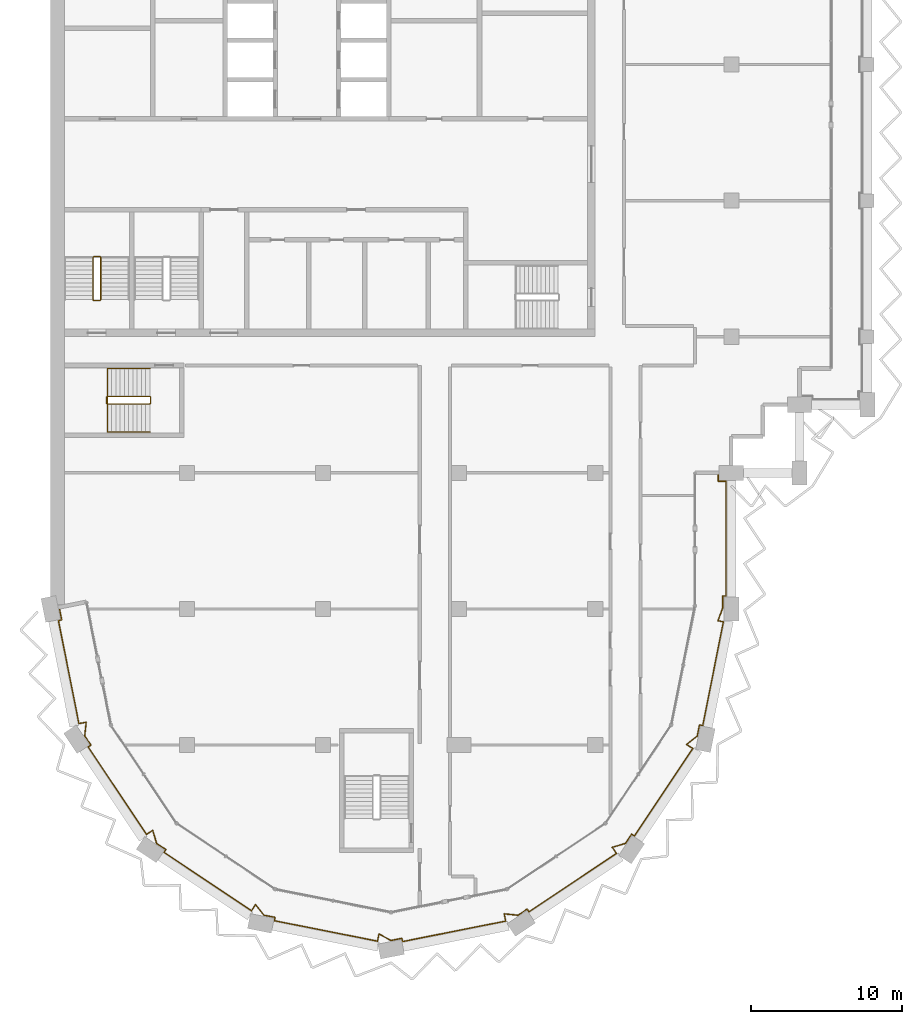
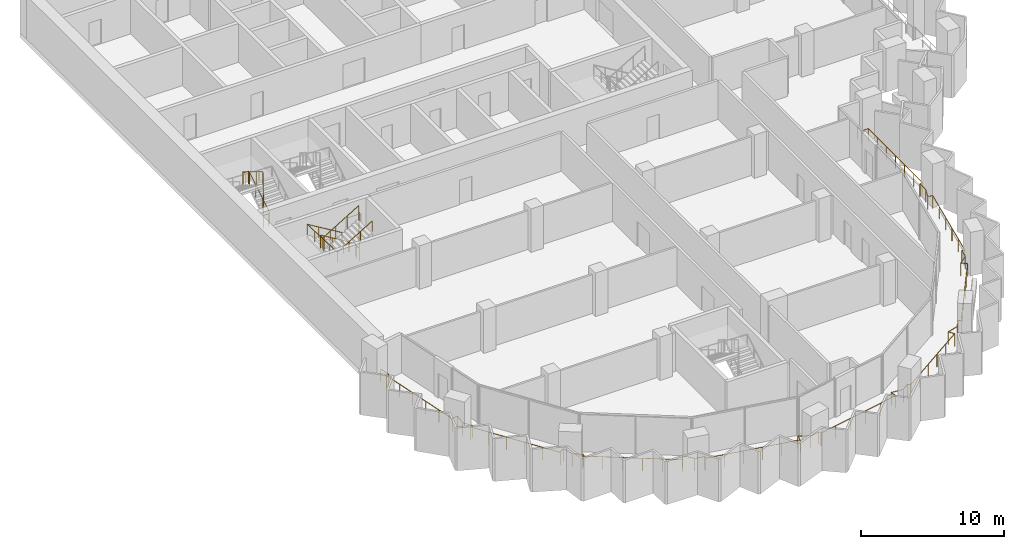
# One storey, part 14 of 16: 4 railings.
"""IFC4 building model written with IfcOpenShell, lengths in metres."""

import ifcopenshell
import ifcopenshell.guid

model = None  # the IFC model being written
_history = None  # IfcOwnerHistory: only IFC2X3 demands one
_inside = {}  # id of a spatial element -> (the spatial element, [elements in it])
_under = {}  # id of a project, library or spatial element -> (it, [spatial elements below it])
_declared = {}  # id of a project -> (the project, [libraries it declares])
_typed = {}  # id of a type object -> (the type object, [elements of that type])
_made_of = {}  # id of a material, layer set ... -> (it, [elements and type objects made of it])


def new_model(schema):
    """Start an empty IFC model of exactly this schema.

    Asked for "IFC4X3", IfcOpenShell would pick the latest addendum, in which some entities
    have other attributes; the version numbers below select the first issue.
    IFC2X3 requires an IfcOwnerHistory on every rooted entity: one is made here for all.
    """
    global model, _history
    if schema == "IFC4X3":
        model = ifcopenshell.file(schema_version=(4, 3, 0, 0))
    else:
        model = ifcopenshell.file(schema=schema)
    _inside.clear()
    _under.clear()
    _declared.clear()
    _typed.clear()
    _made_of.clear()
    _history = None
    if model.schema == "IFC2X3":
        org = make("IfcOrganization", Name="unknown")
        user = make(
            "IfcPersonAndOrganization",
            ThePerson=make("IfcPerson", FamilyName="unknown"),
            TheOrganization=org,
        )
        app = make(
            "IfcApplication",
            ApplicationDeveloper=org,
            Version="unknown",
            ApplicationFullName="unknown",
            ApplicationIdentifier="unknown",
        )
        _history = make(
            "IfcOwnerHistory",
            OwningUser=user,
            OwningApplication=app,
            ChangeAction="ADDED",
            CreationDate=0,
        )
    return model


def make(cls, **values):
    """One entity of the class cls with the attributes given. An attribute that is None is left unset."""
    return model.create_entity(
        cls, **{name: value for name, value in values.items() if value is not None}
    )


def rooted(cls, **values):
    """An entity with a GlobalId (a new one), such as an element, a storey or a relation."""
    return make(cls, GlobalId=ifcopenshell.guid.new(), OwnerHistory=_history, **values)


def si_unit(unit_type, name, prefix=None):
    """IfcSIUnit, for example si_unit("LENGTHUNIT", "METRE", prefix="MILLI")."""
    return make("IfcSIUnit", UnitType=unit_type, Prefix=prefix, Name=name)


def assignment(units):
    """IfcUnitAssignment: the units of a project."""
    return None if units is None else make("IfcUnitAssignment", Units=units)


def point(xyz):
    """IfcCartesianPoint."""
    return None if xyz is None else make("IfcCartesianPoint", Coordinates=xyz)


def direction(xyz):
    """IfcDirection."""
    return None if xyz is None else make("IfcDirection", DirectionRatios=xyz)


def frame(location, z_axis=None, x_axis=None):
    """IfcAxis2Placement3D, a coordinate frame: its origin and axes. An axis left out is left unset."""
    return make(
        "IfcAxis2Placement3D",
        Location=point(location),
        Axis=direction(z_axis),
        RefDirection=direction(x_axis),
    )


def frame_2d(location, x_axis=None):
    """IfcAxis2Placement2D, a coordinate frame in the plane: its origin and x axis."""
    return make(
        "IfcAxis2Placement2D", Location=point(location), RefDirection=direction(x_axis)
    )


def origin():
    """The frame at (0, 0, 0) with its axes left unset."""
    return frame((0.0, 0.0, 0.0))


def origin_2d():
    """The frame at (0, 0) in the plane with its x axis left unset."""
    return frame_2d((0.0, 0.0))


def place(relative_to, where):
    """IfcLocalPlacement: puts the frame where relative to a parent placement (None: the world)."""
    return make(
        "IfcLocalPlacement", PlacementRelTo=relative_to, RelativePlacement=where
    )


def context(
    kind, dimensions, precision=None, world=None, true_north=None, identifier=None
):
    """IfcGeometricRepresentationContext, for example the 3D "Model" context."""
    return make(
        "IfcGeometricRepresentationContext",
        ContextIdentifier=identifier,
        ContextType=kind,
        CoordinateSpaceDimension=dimensions,
        Precision=precision,
        WorldCoordinateSystem=world,
        TrueNorth=true_north,
    )


def subcontext(parent, identifier, kind, view, scale=None):
    """IfcGeometricRepresentationSubContext, for example "Body" below "Model"."""
    return make(
        "IfcGeometricRepresentationSubContext",
        ContextIdentifier=identifier,
        ContextType=kind,
        ParentContext=parent,
        TargetScale=scale,
        TargetView=view,
    )


def project(units=None, contexts=None):
    """IfcProject with its units and contexts."""
    return rooted(
        "IfcProject",
        Name="project",
        RepresentationContexts=contexts,
        UnitsInContext=assignment(units),
    )


def spatial(cls, under=None, at=None, **own):
    """A site, building, storey or space (cls), placed at a placement, below another one or the project."""
    s = rooted(cls, ObjectPlacement=at, **own)
    if under is not None:
        _under.setdefault(under.id(), (under, []))[1].append(s)
    return s


def profile(cls, at=None, kind="AREA", **sizes):
    """A parametric profile (cls). Its sizes go by their IFC names, for example OverallWidth=200.0."""
    return make(cls, ProfileType=kind, Position=at, **sizes)


def circle(**sizes):
    """IfcCircleProfileDef."""
    return profile("IfcCircleProfileDef", **sizes)


def extrude(swept, where, along, depth):
    """IfcExtrudedAreaSolid: the profile swept, set in the frame where, extruded along a direction by depth."""
    return make(
        "IfcExtrudedAreaSolid",
        SweptArea=swept,
        Position=where,
        ExtrudedDirection=direction(along),
        Depth=depth,
    )


def shape(context_of_items, identifier, shape_type, items):
    """IfcShapeRepresentation: the items that make up one representation, for example the "Body"."""
    return make(
        "IfcShapeRepresentation",
        ContextOfItems=context_of_items,
        RepresentationIdentifier=identifier,
        RepresentationType=shape_type,
        Items=items,
    )


def material(Name=None, Category=None):
    """IfcMaterial."""
    return make("IfcMaterial", Name=Name, Category=Category)


def made_of(thing, what):
    """Note that an element or type object is made of a material, layer set ...; save() writes the relation."""
    if what is not None:
        _made_of.setdefault(what.id(), (what, []))[1].append(thing)
    return thing


def type_object(cls, material=None, **own):
    """A type object (cls), such as IfcWallType, which elements share."""
    return made_of(rooted(cls, **own), material)


def element(
    cls,
    number,
    at=None,
    inside=None,
    cuts=None,
    type_object=None,
    material=None,
    context=None,
    identifier="Body",
    shape_type=None,
    held_by="IfcProductDefinitionShape",
    body=None,
    shapes=None,
    **own,
):
    """One element of the class cls, such as IfcWall. Its Tag is "e" and its number.

    at: its placement. inside: the storey or other place that contains it. cuts: it is an
    opening in that element (IfcRelVoidsElement). A single representation is given by context,
    identifier, shape_type and body (its items); several are given by shapes. held_by: the class
    of the entity that holds the representations. save() writes the other relations.
    """
    e = rooted(cls, Tag="e%d" % number, ObjectPlacement=at, **own)
    if body is not None:
        shapes = [shape(context, identifier, shape_type, body)]
    if shapes is not None:
        e.Representation = make(held_by, Representations=shapes)
    if inside is not None:
        _inside.setdefault(inside.id(), (inside, []))[1].append(e)
    if cuts is not None:
        rooted(
            "IfcRelVoidsElement", RelatingBuildingElement=cuts, RelatedOpeningElement=e
        )
    if type_object is not None:
        _typed.setdefault(type_object.id(), (type_object, []))[1].append(e)
    return made_of(e, material)


def aggregate(whole, parts):
    """IfcRelAggregates: a whole, such as a stair, and the parts it consists of."""
    return rooted("IfcRelAggregates", RelatingObject=whole, RelatedObjects=parts)


def save(model, path):
    """Write the relations noted so far, then the file.

    IfcRelAggregates (storeys below a building ...), IfcRelContainedInSpatialStructure (elements
    in a storey), IfcRelDefinesByType, IfcRelAssociatesMaterial and IfcRelDeclares: one each for
    every whole, place, type object, material and project.
    """
    for whole, parts in _under.values():
        aggregate(whole, parts)
    for where, things in _inside.values():
        rooted(
            "IfcRelContainedInSpatialStructure",
            RelatedElements=things,
            RelatingStructure=where,
        )
    for kind, things in _typed.values():
        rooted("IfcRelDefinesByType", RelatedObjects=things, RelatingType=kind)
    for what, things in _made_of.values():
        rooted("IfcRelAssociatesMaterial", RelatedObjects=things, RelatingMaterial=what)
    for by, libraries in _declared.values():
        rooted("IfcRelDeclares", RelatingContext=by, RelatedDefinitions=libraries)
    model.write(path)


model = new_model("IFC4")

# Units and contexts
model_context = context("Model", 3, precision=1e-05, world=origin(), true_north=direction((0.0, 1.0)))
body_context = subcontext(model_context, "Body", "Model", "MODEL_VIEW")
ifc_project = project(units=[si_unit("LENGTHUNIT", "METRE"), si_unit("AREAUNIT", "SQUARE_METRE"), si_unit("VOLUMEUNIT", "CUBIC_METRE"), si_unit("PLANEANGLEUNIT", "RADIAN"), si_unit("MASSUNIT", "GRAM", prefix="KILO")], contexts=[model_context])

# Site, building, storey
site_placement = place(None, origin())
site = spatial("IfcSite", under=ifc_project, at=site_placement, CompositionType="ELEMENT")
building_placement = place(site_placement, origin())
building = spatial("IfcBuilding", under=site, at=building_placement, Name="Hunhe Ridgeline Campus", CompositionType="ELEMENT")
storey_placement = place(building_placement, frame((0.0, 0.0, 235.5)))
storey = spatial("IfcBuildingStorey", under=building, at=storey_placement, Name="L60", CompositionType="ELEMENT", Elevation=235.5)

# Railings
ifc_material_1 = material(Name="Steel Q355", Category="steel")
railing_type_1 = type_object("IfcRailingType", Name="Loggia guard 1100 Steel Q355", PredefinedType="GUARDRAIL", material=ifc_material_1)
railing_1_placement = place(storey_placement, frame((0.55908203125, 45.111083984375, 0.0)))
element("IfcRailing", 1, at=railing_1_placement, inside=storey, type_object=railing_type_1, Name="Loggia guard 1", PredefinedType="GUARDRAIL", context=body_context, shape_type="SweptSolid", body=[
    extrude(circle(Radius=0.02392578125, at=origin_2d()), frame((0.0, 0.0, 1.076171875), z_axis=(0.195066328581, -0.980790052689, 0.0), x_axis=(0.980790052689, 0.195066328581, 0.0)), (0.0, 0.0, 1.0), 0.849853515625),
    extrude(circle(Radius=0.02392578125, at=origin_2d()), frame((0.165771484375, -0.83349609375, 1.076171875), z_axis=(-0.980750988442, -0.195262640233, 0.0), x_axis=(0.195262640233, -0.980750988442, 0.0)), (0.0, 0.0, 1.0), 0.219970703125),
    extrude(circle(Radius=0.02392578125, at=origin_2d()), frame((-0.050048828125, -0.87646484375, 1.076171875), z_axis=(0.1951025318, -0.980782851647, 0.0), x_axis=(0.980782851647, 0.1951025318, 0.0)), (0.0, 0.0, 1.0), 6.94873046875),
    extrude(circle(Radius=0.02392578125, at=origin_2d()), frame((1.3056640625, -7.691650390625, 1.076171875), z_axis=(0.980791706313, 0.195058014004, 0.0), x_axis=(-0.195058014004, 0.980791706313, 0.0)), (0.0, 0.0, 1.0), 0.488037109375),
    extrude(circle(Radius=0.02392578125, at=origin_2d()), frame((1.784423828125, -7.596435546875, 1.076171875), z_axis=(-0.103312201106, -0.994648977832, 0.0), x_axis=(0.994648977832, -0.103312201106, 0.0)), (0.0, 0.0, 1.0), 0.907470703125),
    extrude(circle(Radius=0.02392578125, at=origin_2d()), frame((1.690673828125, -8.4990234375, 1.076171875), z_axis=(0.555464783965, -0.831540061437, 0.0), x_axis=(0.831540061437, 0.555464783965, 0.0)), (0.0, 0.0, 1.0), 0.736572265625),
    extrude(circle(Radius=0.02392578125, at=origin_2d()), frame((2.099853515625, -9.111572265625, 1.076171875), z_axis=(-0.831708467209, -0.555212594933, 0.0), x_axis=(0.555212594933, -0.831708467209, 0.0)), (0.0, 0.0, 1.0), 0.219970703125),
    extrude(circle(Radius=0.02392578125, at=origin_2d()), frame((1.9169921875, -9.233642578125, 1.076171875), z_axis=(0.555559363791, -0.831476874786, 0.0), x_axis=(0.831476874786, 0.555559363791, 0.0)), (0.0, 0.0, 1.0), 6.948486328125),
    extrude(circle(Radius=0.02392578125, at=origin_2d()), frame((5.77734375, -15.01123046875, 1.076171875), z_axis=(0.831588140797, 0.555392801615, 0.0), x_axis=(-0.555392801615, 0.831588140797, 0.0)), (0.0, 0.0, 1.0), 0.488037109375),
    extrude(circle(Radius=0.02392578125, at=origin_2d()), frame((6.18310546875, -14.740234375, 1.076171875), z_axis=(0.285150626135, -0.958482717849, 0.0), x_axis=(0.958482717849, 0.285150626135, 0.0)), (0.0, 0.0, 1.0), 0.907470703125),
    extrude(circle(Radius=0.02392578125, at=origin_2d()), frame((6.44189453125, -15.610107421875, 1.076171875), z_axis=(0.831540061437, -0.555464783965, 0.0), x_axis=(0.555464783965, 0.831540061437, 0.0)), (0.0, 0.0, 1.0), 0.736572265625),
    extrude(circle(Radius=0.02392578125, at=origin_2d()), frame((7.054443359375, -16.019287109375, 1.076171875), z_axis=(-0.555980009223, -0.831195662491, 0.0), x_axis=(0.831195662491, -0.555980009223, 0.0)), (0.0, 0.0, 1.0), 0.219970703125),
    extrude(circle(Radius=0.02392578125, at=origin_2d()), frame((6.93212890625, -16.2021484375, 1.076171875), z_axis=(0.831460644532, -0.555583654003, 0.0), x_axis=(0.555583654003, 0.831460644532, 0.0)), (0.0, 0.0, 1.0), 6.94873046875),
    extrude(circle(Radius=0.02392578125, at=origin_2d()), frame((12.709716796875, -20.062744140625, 1.076171875), z_axis=(0.555507638283, 0.831511433361, 0.0), x_axis=(-0.831511433361, 0.555507638283, 0.0)), (0.0, 0.0, 1.0), 0.48828125),
    extrude(circle(Radius=0.02392578125, at=origin_2d()), frame((12.98095703125, -19.65673828125, 1.076171875), z_axis=(0.630288754525, -0.776360796227, 0.0), x_axis=(0.776360796227, 0.630288754525, 0.0)), (0.0, 0.0, 1.0), 0.907470703125),
    extrude(circle(Radius=0.02392578125, at=origin_2d()), frame((13.552978515625, -20.361328125, 1.076171875), z_axis=(0.980758742397, -0.19522369019, 0.0), x_axis=(0.19522369019, 0.980758742397, 0.0)), (0.0, 0.0, 1.0), 0.736572265625),
    extrude(circle(Radius=0.02392578125, at=origin_2d()), frame((14.275390625, -20.505126953125, 1.076171875), z_axis=(-0.195262640233, -0.980750988442, 0.0), x_axis=(0.980750988442, -0.195262640233, 0.0)), (0.0, 0.0, 1.0), 0.219970703125),
    extrude(circle(Radius=0.02392578125, at=origin_2d()), frame((14.232421875, -20.720947265625, 1.076171875), z_axis=(0.980789574233, -0.195068734234, 0.0), x_axis=(0.195068734234, 0.980789574233, 0.0)), (0.0, 0.0, 1.0), 6.94873046875),
    extrude(circle(Radius=0.02392578125, at=origin_2d()), frame((21.047607421875, -22.076416015625, 1.076171875), z_axis=(0.195153744134, 0.980772662828, 0.0), x_axis=(-0.980772662828, 0.195153744134, 0.0)), (0.0, 0.0, 1.0), 0.48779296875),
    extrude(circle(Radius=0.02392578125, at=origin_2d()), frame((21.142822265625, -21.597900390625, 1.076171875), z_axis=(0.879371752487, -0.476135821934, 0.0), x_axis=(0.476135821934, 0.879371752487, 0.0)), (0.0, 0.0, 1.0), 0.907470703125),
    extrude(circle(Radius=0.02392578125, at=origin_2d()), frame((21.94091796875, -22.030029296875, 1.076171875), z_axis=(0.980758742397, 0.19522369019, 0.0), x_axis=(-0.19522369019, 0.980758742397, 0.0)), (0.0, 0.0, 1.0), 0.736572265625),
    extrude(circle(Radius=0.02392578125, at=origin_2d()), frame((22.663330078125, -21.88623046875, 1.076171875), z_axis=(0.195262640233, -0.980750988442, 0.0), x_axis=(0.980750988442, 0.195262640233, 0.0)), (0.0, 0.0, 1.0), 0.219970703125),
    extrude(circle(Radius=0.02392578125, at=origin_2d()), frame((22.706298828125, -22.10205078125, 1.076171875), z_axis=(0.980782851647, 0.1951025318, 0.0), x_axis=(-0.1951025318, 0.980782851647, 0.0)), (0.0, 0.0, 1.0), 6.94873046875),
    extrude(circle(Radius=0.02392578125, at=origin_2d()), frame((29.521484375, -20.746337890625, 1.076171875), z_axis=(-0.195058014004, 0.980791706313, 0.0), x_axis=(-0.980791706313, -0.195058014004, 0.0)), (0.0, 0.0, 1.0), 0.488037109375),
    extrude(circle(Radius=0.02392578125, at=origin_2d()), frame((29.42626953125, -20.267578125, 1.076171875), z_axis=(0.994648977832, -0.103312201106, 0.0), x_axis=(0.103312201106, 0.994648977832, 0.0)), (0.0, 0.0, 1.0), 0.907470703125),
    extrude(circle(Radius=0.02392578125, at=origin_2d()), frame((30.328857421875, -20.361328125, 1.076171875), z_axis=(0.831540061437, 0.555464783965, 0.0), x_axis=(-0.555464783965, 0.831540061437, 0.0)), (0.0, 0.0, 1.0), 0.736572265625),
    extrude(circle(Radius=0.02392578125, at=origin_2d()), frame((30.94140625, -19.9521484375, 1.076171875), z_axis=(0.555212594933, -0.831708467209, 0.0), x_axis=(0.831708467209, 0.555212594933, 0.0)), (0.0, 0.0, 1.0), 0.219970703125),
    extrude(circle(Radius=0.02392578125, at=origin_2d()), frame((31.0634765625, -20.135009765625, 1.076171875), z_axis=(0.831476874786, 0.555559363791, 0.0), x_axis=(-0.555559363791, 0.831476874786, 0.0)), (0.0, 0.0, 1.0), 6.948486328125),
    extrude(circle(Radius=0.02392578125, at=origin_2d()), frame((36.841064453125, -16.274658203125, 1.076171875), z_axis=(-0.555392801615, 0.831588140797, 0.0), x_axis=(-0.831588140797, -0.555392801615, 0.0)), (0.0, 0.0, 1.0), 0.488037109375),
    extrude(circle(Radius=0.02392578125, at=origin_2d()), frame((36.570068359375, -15.868896484375, 1.076171875), z_axis=(0.958482717849, 0.285150626135, 0.0), x_axis=(-0.285150626135, 0.958482717849, 0.0)), (0.0, 0.0, 1.0), 0.907470703125),
    extrude(circle(Radius=0.02392578125, at=origin_2d()), frame((37.43994140625, -15.610107421875, 1.076171875), z_axis=(0.555464783965, 0.831540061437, 0.0), x_axis=(-0.831540061437, 0.555464783965, 0.0)), (0.0, 0.0, 1.0), 0.736572265625),
    extrude(circle(Radius=0.02392578125, at=origin_2d()), frame((37.84912109375, -14.99755859375, 1.076171875), z_axis=(0.831195662491, -0.555980009223, 0.0), x_axis=(0.555980009223, 0.831195662491, 0.0)), (0.0, 0.0, 1.0), 0.219970703125),
    extrude(circle(Radius=0.02392578125, at=origin_2d()), frame((38.031982421875, -15.119873046875, 1.076171875), z_axis=(0.555583654003, 0.831460644532, 0.0), x_axis=(-0.831460644532, 0.555583654003, 0.0)), (0.0, 0.0, 1.0), 6.94873046875),
    extrude(circle(Radius=0.02392578125, at=origin_2d()), frame((41.892578125, -9.34228515625, 1.076171875), z_axis=(-0.831511433361, 0.555507638283, 0.0), x_axis=(-0.555507638283, -0.831511433361, 0.0)), (0.0, 0.0, 1.0), 0.48828125),
    extrude(circle(Radius=0.02392578125, at=origin_2d()), frame((41.486572265625, -9.071044921875, 1.076171875), z_axis=(0.776360796227, 0.630288754525, 0.0), x_axis=(-0.630288754525, 0.776360796227, 0.0)), (0.0, 0.0, 1.0), 0.907470703125),
    extrude(circle(Radius=0.02392578125, at=origin_2d()), frame((42.191162109375, -8.4990234375, 1.076171875), z_axis=(0.19522369019, 0.980758742397, 0.0), x_axis=(-0.980758742397, 0.19522369019, 0.0)), (0.0, 0.0, 1.0), 0.736572265625),
    extrude(circle(Radius=0.02392578125, at=origin_2d()), frame((42.3349609375, -7.776611328125, 1.076171875), z_axis=(0.980750988442, -0.195262640233, 0.0), x_axis=(0.195262640233, 0.980750988442, 0.0)), (0.0, 0.0, 1.0), 0.219970703125),
    extrude(circle(Radius=0.02392578125, at=origin_2d()), frame((42.55078125, -7.819580078125, 1.076171875), z_axis=(0.195082678264, 0.980786800809, 0.0), x_axis=(-0.980786800809, 0.195082678264, 0.0)), (0.0, 0.0, 1.0), 6.9970703125),
    extrude(circle(Radius=0.02392578125, at=origin_2d()), frame((43.915771484375, -0.95703125, 1.076171875), z_axis=(-0.980759647752, 0.195219141842, 0.0), x_axis=(-0.195219141842, -0.980759647752, 0.0)), (0.0, 0.0, 1.0), 0.366455078125),
    extrude(circle(Radius=0.02392578125, at=origin_2d()), frame((43.556396484375, -0.885498046875, 1.076171875), z_axis=(0.354074070723, 0.935217382453, 0.0), x_axis=(-0.935217382453, 0.354074070723, 0.0)), (0.0, 0.0, 1.0), 0.88818359375),
    extrude(circle(Radius=0.02392578125, at=origin_2d()), frame((43.870849609375, -0.054931640625, 1.076171875), z_axis=(0.0, 1.0, 0.0), x_axis=(-1.0, 0.0, 0.0)), (0.0, 0.0, 1.0), 0.7939453125),
    extrude(circle(Radius=0.02392578125, at=origin_2d()), frame((43.870849609375, 0.739013671875, 1.076171875), z_axis=(1.0, 0.0, 0.0), x_axis=(0.0, 1.0, 0.0)), (0.0, 0.0, 1.0), 0.219970703125),
    extrude(circle(Radius=0.02392578125, at=origin_2d()), frame((44.0908203125, 0.739013671875, 1.076171875), z_axis=(0.0, 1.0, 0.0), x_axis=(-1.0, 0.0, 0.0)), (0.0, 0.0, 1.0), 7.599853515625),
    extrude(circle(Radius=0.02392578125, at=origin_2d()), frame((44.0908203125, 8.3388671875, 1.076171875), z_axis=(-1.0, 0.0, 0.0), x_axis=(0.0, -1.0, 0.0)), (0.0, 0.0, 1.0), 0.52001953125),
    extrude(circle(Radius=0.02392578125, at=origin_2d()), frame((43.57080078125, 8.3388671875, 1.076171875), z_axis=(0.0, 1.0, 0.0), x_axis=(-1.0, 0.0, 0.0)), (0.0, 0.0, 1.0), 0.550048828125),
    extrude(circle(Radius=0.02099609375, at=origin_2d()), origin(), (0.0, 0.0, 1.0), 1.052001953125),
    extrude(circle(Radius=0.02099609375, at=origin_2d()), frame((0.165771484375, -0.83349609375, 0.0)), (0.0, 0.0, 1.0), 1.052001953125),
    extrude(circle(Radius=0.02099609375, at=origin_2d()), frame((-0.050048828125, -0.87646484375, 0.0)), (0.0, 0.0, 1.0), 1.052001953125),
    extrude(circle(Radius=0.02099609375, at=origin_2d()), frame((0.22119140625, -2.239501953125, 0.0)), (0.0, 0.0, 1.0), 1.052001953125),
    extrude(circle(Radius=0.02099609375, at=origin_2d()), frame((0.4921875, -3.6025390625, 0.0)), (0.0, 0.0, 1.0), 1.052001953125),
    extrude(circle(Radius=0.02099609375, at=origin_2d()), frame((0.763427734375, -4.965576171875, 0.0)), (0.0, 0.0, 1.0), 1.052001953125),
    extrude(circle(Radius=0.02099609375, at=origin_2d()), frame((1.034423828125, -6.32861328125, 0.0)), (0.0, 0.0, 1.0), 1.052001953125),
    extrude(circle(Radius=0.02099609375, at=origin_2d()), frame((1.3056640625, -7.691650390625, 0.0)), (0.0, 0.0, 1.0), 1.052001953125),
    extrude(circle(Radius=0.02099609375, at=origin_2d()), frame((1.784423828125, -7.596435546875, 0.0)), (0.0, 0.0, 1.0), 1.052001953125),
    extrude(circle(Radius=0.02099609375, at=origin_2d()), frame((1.690673828125, -8.4990234375, 0.0)), (0.0, 0.0, 1.0), 1.052001953125),
    extrude(circle(Radius=0.02099609375, at=origin_2d()), frame((2.099853515625, -9.111572265625, 0.0)), (0.0, 0.0, 1.0), 1.052001953125),
    extrude(circle(Radius=0.02099609375, at=origin_2d()), frame((1.9169921875, -9.233642578125, 0.0)), (0.0, 0.0, 1.0), 1.052001953125),
    extrude(circle(Radius=0.02099609375, at=origin_2d()), frame((2.68896484375, -10.38916015625, 0.0)), (0.0, 0.0, 1.0), 1.052001953125),
    extrude(circle(Radius=0.02099609375, at=origin_2d()), frame((3.461181640625, -11.544677734375, 0.0)), (0.0, 0.0, 1.0), 1.052001953125),
    extrude(circle(Radius=0.02099609375, at=origin_2d()), frame((4.233154296875, -12.7001953125, 0.0)), (0.0, 0.0, 1.0), 1.052001953125),
    extrude(circle(Radius=0.02099609375, at=origin_2d()), frame((5.00537109375, -13.855712890625, 0.0)), (0.0, 0.0, 1.0), 1.052001953125),
    extrude(circle(Radius=0.02099609375, at=origin_2d()), frame((5.77734375, -15.01123046875, 0.0)), (0.0, 0.0, 1.0), 1.052001953125),
    extrude(circle(Radius=0.02099609375, at=origin_2d()), frame((6.18310546875, -14.740234375, 0.0)), (0.0, 0.0, 1.0), 1.052001953125),
    extrude(circle(Radius=0.02099609375, at=origin_2d()), frame((6.44189453125, -15.610107421875, 0.0)), (0.0, 0.0, 1.0), 1.052001953125),
    extrude(circle(Radius=0.02099609375, at=origin_2d()), frame((7.054443359375, -16.019287109375, 0.0)), (0.0, 0.0, 1.0), 1.052001953125),
    extrude(circle(Radius=0.02099609375, at=origin_2d()), frame((6.93212890625, -16.2021484375, 0.0)), (0.0, 0.0, 1.0), 1.052001953125),
    extrude(circle(Radius=0.02099609375, at=origin_2d()), frame((8.087646484375, -16.974365234375, 0.0)), (0.0, 0.0, 1.0), 1.052001953125),
    extrude(circle(Radius=0.02099609375, at=origin_2d()), frame((9.2431640625, -17.746337890625, 0.0)), (0.0, 0.0, 1.0), 1.052001953125),
    extrude(circle(Radius=0.02099609375, at=origin_2d()), frame((10.398681640625, -18.5185546875, 0.0)), (0.0, 0.0, 1.0), 1.052001953125),
    extrude(circle(Radius=0.02099609375, at=origin_2d()), frame((11.55419921875, -19.29052734375, 0.0)), (0.0, 0.0, 1.0), 1.052001953125),
    extrude(circle(Radius=0.02099609375, at=origin_2d()), frame((12.709716796875, -20.062744140625, 0.0)), (0.0, 0.0, 1.0), 1.052001953125),
    extrude(circle(Radius=0.02099609375, at=origin_2d()), frame((12.98095703125, -19.65673828125, 0.0)), (0.0, 0.0, 1.0), 1.052001953125),
    extrude(circle(Radius=0.02099609375, at=origin_2d()), frame((13.552978515625, -20.361328125, 0.0)), (0.0, 0.0, 1.0), 1.052001953125),
    extrude(circle(Radius=0.02099609375, at=origin_2d()), frame((14.275390625, -20.505126953125, 0.0)), (0.0, 0.0, 1.0), 1.052001953125),
    extrude(circle(Radius=0.02099609375, at=origin_2d()), frame((14.232421875, -20.720947265625, 0.0)), (0.0, 0.0, 1.0), 1.052001953125),
    extrude(circle(Radius=0.02099609375, at=origin_2d()), frame((15.595458984375, -20.991943359375, 0.0)), (0.0, 0.0, 1.0), 1.052001953125),
    extrude(circle(Radius=0.02099609375, at=origin_2d()), frame((16.95849609375, -21.26318359375, 0.0)), (0.0, 0.0, 1.0), 1.052001953125),
    extrude(circle(Radius=0.02099609375, at=origin_2d()), frame((18.321533203125, -21.5341796875, 0.0)), (0.0, 0.0, 1.0), 1.052001953125),
    extrude(circle(Radius=0.02099609375, at=origin_2d()), frame((19.6845703125, -21.805419921875, 0.0)), (0.0, 0.0, 1.0), 1.052001953125),
    extrude(circle(Radius=0.02099609375, at=origin_2d()), frame((21.047607421875, -22.076416015625, 0.0)), (0.0, 0.0, 1.0), 1.052001953125),
    extrude(circle(Radius=0.02099609375, at=origin_2d()), frame((21.142822265625, -21.597900390625, 0.0)), (0.0, 0.0, 1.0), 1.052001953125),
    extrude(circle(Radius=0.02099609375, at=origin_2d()), frame((21.94091796875, -22.030029296875, 0.0)), (0.0, 0.0, 1.0), 1.052001953125),
    extrude(circle(Radius=0.02099609375, at=origin_2d()), frame((22.663330078125, -21.88623046875, 0.0)), (0.0, 0.0, 1.0), 1.052001953125),
    extrude(circle(Radius=0.02099609375, at=origin_2d()), frame((22.706298828125, -22.10205078125, 0.0)), (0.0, 0.0, 1.0), 1.052001953125),
    extrude(circle(Radius=0.02099609375, at=origin_2d()), frame((24.0693359375, -21.830810546875, 0.0)), (0.0, 0.0, 1.0), 1.052001953125),
    extrude(circle(Radius=0.02099609375, at=origin_2d()), frame((25.432373046875, -21.559814453125, 0.0)), (0.0, 0.0, 1.0), 1.052001953125),
    extrude(circle(Radius=0.02099609375, at=origin_2d()), frame((26.79541015625, -21.28857421875, 0.0)), (0.0, 0.0, 1.0), 1.052001953125),
    extrude(circle(Radius=0.02099609375, at=origin_2d()), frame((28.158447265625, -21.017578125, 0.0)), (0.0, 0.0, 1.0), 1.052001953125),
    extrude(circle(Radius=0.02099609375, at=origin_2d()), frame((29.521484375, -20.746337890625, 0.0)), (0.0, 0.0, 1.0), 1.052001953125),
    extrude(circle(Radius=0.02099609375, at=origin_2d()), frame((29.42626953125, -20.267578125, 0.0)), (0.0, 0.0, 1.0), 1.052001953125),
    extrude(circle(Radius=0.02099609375, at=origin_2d()), frame((30.328857421875, -20.361328125, 0.0)), (0.0, 0.0, 1.0), 1.052001953125),
    extrude(circle(Radius=0.02099609375, at=origin_2d()), frame((30.94140625, -19.9521484375, 0.0)), (0.0, 0.0, 1.0), 1.052001953125),
    extrude(circle(Radius=0.02099609375, at=origin_2d()), frame((31.0634765625, -20.135009765625, 0.0)), (0.0, 0.0, 1.0), 1.052001953125),
    extrude(circle(Radius=0.02099609375, at=origin_2d()), frame((32.218994140625, -19.363037109375, 0.0)), (0.0, 0.0, 1.0), 1.052001953125),
    extrude(circle(Radius=0.02099609375, at=origin_2d()), frame((33.37451171875, -18.5908203125, 0.0)), (0.0, 0.0, 1.0), 1.052001953125),
    extrude(circle(Radius=0.02099609375, at=origin_2d()), frame((34.530029296875, -17.81884765625, 0.0)), (0.0, 0.0, 1.0), 1.052001953125),
    extrude(circle(Radius=0.02099609375, at=origin_2d()), frame((35.685546875, -17.046630859375, 0.0)), (0.0, 0.0, 1.0), 1.052001953125),
    extrude(circle(Radius=0.02099609375, at=origin_2d()), frame((36.841064453125, -16.274658203125, 0.0)), (0.0, 0.0, 1.0), 1.052001953125),
    extrude(circle(Radius=0.02099609375, at=origin_2d()), frame((36.570068359375, -15.868896484375, 0.0)), (0.0, 0.0, 1.0), 1.052001953125),
    extrude(circle(Radius=0.02099609375, at=origin_2d()), frame((37.43994140625, -15.610107421875, 0.0)), (0.0, 0.0, 1.0), 1.052001953125),
    extrude(circle(Radius=0.02099609375, at=origin_2d()), frame((37.84912109375, -14.99755859375, 0.0)), (0.0, 0.0, 1.0), 1.052001953125),
    extrude(circle(Radius=0.02099609375, at=origin_2d()), frame((38.031982421875, -15.119873046875, 0.0)), (0.0, 0.0, 1.0), 1.052001953125),
    extrude(circle(Radius=0.02099609375, at=origin_2d()), frame((38.80419921875, -13.96435546875, 0.0)), (0.0, 0.0, 1.0), 1.052001953125),
    extrude(circle(Radius=0.02099609375, at=origin_2d()), frame((39.576171875, -12.808837890625, 0.0)), (0.0, 0.0, 1.0), 1.052001953125),
    extrude(circle(Radius=0.02099609375, at=origin_2d()), frame((40.348388671875, -11.6533203125, 0.0)), (0.0, 0.0, 1.0), 1.052001953125),
    extrude(circle(Radius=0.02099609375, at=origin_2d()), frame((41.120361328125, -10.497802734375, 0.0)), (0.0, 0.0, 1.0), 1.052001953125),
    extrude(circle(Radius=0.02099609375, at=origin_2d()), frame((41.892578125, -9.34228515625, 0.0)), (0.0, 0.0, 1.0), 1.052001953125),
    extrude(circle(Radius=0.02099609375, at=origin_2d()), frame((41.486572265625, -9.071044921875, 0.0)), (0.0, 0.0, 1.0), 1.052001953125),
    extrude(circle(Radius=0.02099609375, at=origin_2d()), frame((42.191162109375, -8.4990234375, 0.0)), (0.0, 0.0, 1.0), 1.052001953125),
    extrude(circle(Radius=0.02099609375, at=origin_2d()), frame((42.3349609375, -7.776611328125, 0.0)), (0.0, 0.0, 1.0), 1.052001953125),
    extrude(circle(Radius=0.02099609375, at=origin_2d()), frame((42.55078125, -7.819580078125, 0.0)), (0.0, 0.0, 1.0), 1.052001953125),
    extrude(circle(Radius=0.02099609375, at=origin_2d()), frame((42.82373046875, -6.447021484375, 0.0)), (0.0, 0.0, 1.0), 1.052001953125),
    extrude(circle(Radius=0.02099609375, at=origin_2d()), frame((43.0966796875, -5.074462890625, 0.0)), (0.0, 0.0, 1.0), 1.052001953125),
    extrude(circle(Radius=0.02099609375, at=origin_2d()), frame((43.369873046875, -3.7021484375, 0.0)), (0.0, 0.0, 1.0), 1.052001953125),
    extrude(circle(Radius=0.02099609375, at=origin_2d()), frame((43.642822265625, -2.32958984375, 0.0)), (0.0, 0.0, 1.0), 1.052001953125),
    extrude(circle(Radius=0.02099609375, at=origin_2d()), frame((43.915771484375, -0.95703125, 0.0)), (0.0, 0.0, 1.0), 1.052001953125),
    extrude(circle(Radius=0.02099609375, at=origin_2d()), frame((43.556396484375, -0.885498046875, 0.0)), (0.0, 0.0, 1.0), 1.052001953125),
    extrude(circle(Radius=0.02099609375, at=origin_2d()), frame((43.870849609375, -0.054931640625, 0.0)), (0.0, 0.0, 1.0), 1.052001953125),
    extrude(circle(Radius=0.02099609375, at=origin_2d()), frame((43.870849609375, 0.739013671875, 0.0)), (0.0, 0.0, 1.0), 1.052001953125),
    extrude(circle(Radius=0.02099609375, at=origin_2d()), frame((44.0908203125, 0.739013671875, 0.0)), (0.0, 0.0, 1.0), 1.052001953125),
    extrude(circle(Radius=0.02099609375, at=origin_2d()), frame((44.0908203125, 2.005615234375, 0.0)), (0.0, 0.0, 1.0), 1.052001953125),
    extrude(circle(Radius=0.02099609375, at=origin_2d()), frame((44.0908203125, 3.272216796875, 0.0)), (0.0, 0.0, 1.0), 1.052001953125),
    extrude(circle(Radius=0.02099609375, at=origin_2d()), frame((44.0908203125, 4.5390625, 0.0)), (0.0, 0.0, 1.0), 1.052001953125),
    extrude(circle(Radius=0.02099609375, at=origin_2d()), frame((44.0908203125, 5.8056640625, 0.0)), (0.0, 0.0, 1.0), 1.052001953125),
    extrude(circle(Radius=0.02099609375, at=origin_2d()), frame((44.0908203125, 7.072265625, 0.0)), (0.0, 0.0, 1.0), 1.052001953125),
    extrude(circle(Radius=0.02099609375, at=origin_2d()), frame((44.0908203125, 8.3388671875, 0.0)), (0.0, 0.0, 1.0), 1.052001953125),
    extrude(circle(Radius=0.02099609375, at=origin_2d()), frame((43.57080078125, 8.3388671875, 0.0)), (0.0, 0.0, 1.0), 1.052001953125),
    extrude(circle(Radius=0.02099609375, at=origin_2d()), frame((43.57080078125, 8.888916015625, 0.0)), (0.0, 0.0, 1.0), 1.052001953125),
])
ifc_material_2 = material(Name="Stainless steel balustrade", Category="steel")
railing_type_2 = type_object("IfcRailingType", Name="Stair guard 1100 stainless", PredefinedType="GUARDRAIL", material=ifc_material_2)
railing_2_placement = place(storey_placement, frame((3.300048828125, 65.449951171875, 0.168212890625)))
element("IfcRailing", 2, at=railing_2_placement, inside=storey, type_object=railing_type_2, Name="L60 stair S3 guard", PredefinedType="GUARDRAIL", context=body_context, shape_type="SweptSolid", body=[
    extrude(circle(Radius=0.02392578125, at=origin_2d()), frame((0.0, 0.0, 1.076171875), z_axis=(0.0, 0.857242210791, 0.514913383045), x_axis=(-1.0, 0.0, 0.0)), (0.0, 0.0, 1.0), 3.266357421875),
    extrude(circle(Radius=0.02392578125, at=origin_2d()), frame((0.0, 2.800048828125, 2.7578125), z_axis=(-0.707106781187, 0.707106781187, 0.0), x_axis=(-0.707106781187, -0.707106781187, 0.0)), (0.0, 0.0, 1.0), 0.07080078125),
    extrude(circle(Radius=0.02392578125, at=origin_2d()), frame((-0.050048828125, 2.85009765625, 2.7578125), z_axis=(-1.0, 0.0, 0.0), x_axis=(0.0, -1.0, 0.0)), (0.0, 0.0, 1.0), 0.39990234375),
    extrude(circle(Radius=0.02392578125, at=origin_2d()), frame((-0.449951171875, 2.85009765625, 2.7578125), z_axis=(-0.274582412415, -0.274582412415, 0.921525364591), x_axis=(0.707106781187, -0.707106781187, 0.0)), (0.0, 0.0, 1.0), 0.182373046875),
    extrude(circle(Radius=0.02392578125, at=origin_2d()), frame((-0.5, 2.800048828125, 2.92578125), z_axis=(0.0, -0.857242210791, 0.514913383045), x_axis=(1.0, 0.0, 0.0)), (0.0, 0.0, 1.0), 3.266357421875),
    extrude(circle(Radius=0.02392578125, at=origin_2d()), frame((-0.5, 0.0, 4.60791015625), z_axis=(0.013524414389, -0.013524414389, -0.999817073484), x_axis=(0.707106781187, 0.707106781187, 0.0)), (0.0, 0.0, 1.0), 3.70068359375),
    extrude(circle(Radius=0.02392578125, at=origin_2d()), frame((-0.449951171875, -0.050048828125, 0.90771484375), z_axis=(1.0, 0.0, 0.0), x_axis=(0.0, 1.0, 0.0)), (0.0, 0.0, 1.0), 0.39990234375),
    extrude(circle(Radius=0.02099609375, at=origin_2d()), origin(), (0.0, 0.0, 1.0), 1.052001953125),
    extrude(circle(Radius=0.02099609375, at=origin_2d()), frame((0.0, 0.933349609375, 0.560546875)), (0.0, 0.0, 1.0), 1.052001953125),
    extrude(circle(Radius=0.02099609375, at=origin_2d()), frame((0.0, 1.86669921875, 1.121337890625)), (0.0, 0.0, 1.0), 1.052001953125),
    extrude(circle(Radius=0.02099609375, at=origin_2d()), frame((0.0, 2.800048828125, 1.681884765625)), (0.0, 0.0, 1.0), 1.052001953125),
    extrude(circle(Radius=0.02099609375, at=origin_2d()), frame((-0.050048828125, 2.85009765625, 1.681884765625)), (0.0, 0.0, 1.0), 1.052001953125),
    extrude(circle(Radius=0.02099609375, at=origin_2d()), frame((-0.449951171875, 2.85009765625, 1.681884765625)), (0.0, 0.0, 1.0), 1.052001953125),
    extrude(circle(Radius=0.02099609375, at=origin_2d()), frame((-0.5, 2.800048828125, 1.849853515625)), (0.0, 0.0, 1.0), 1.052001953125),
    extrude(circle(Radius=0.02099609375, at=origin_2d()), frame((-0.5, 1.86669921875, 2.410400390625)), (0.0, 0.0, 1.0), 1.052001953125),
    extrude(circle(Radius=0.02099609375, at=origin_2d()), frame((-0.5, 0.933349609375, 2.97119140625)), (0.0, 0.0, 1.0), 1.052001953125),
    extrude(circle(Radius=0.02099609375, at=origin_2d()), frame((-0.5, 0.0, 3.53173828125)), (0.0, 0.0, 1.0), 1.052001953125),
    extrude(circle(Radius=0.02099609375, at=origin_2d()), frame((-0.487548828125, -0.012451171875, 2.606689453125)), (0.0, 0.0, 1.0), 1.052001953125),
    extrude(circle(Radius=0.02099609375, at=origin_2d()), frame((-0.47509765625, -0.02490234375, 1.681640625)), (0.0, 0.0, 1.0), 1.052001953125),
    extrude(circle(Radius=0.02099609375, at=origin_2d()), frame((-0.46240234375, -0.03759765625, 0.7568359375)), (0.0, 0.0, 1.0), 1.052001953125),
    extrude(circle(Radius=0.02099609375, at=origin_2d()), frame((-0.449951171875, -0.050048828125, -0.168212890625)), (0.0, 0.0, 1.0), 1.052001953125),
    extrude(circle(Radius=0.02099609375, at=origin_2d()), frame((-0.050048828125, -0.050048828125, -0.168212890625)), (0.0, 0.0, 1.0), 1.052001953125),
])
railing_3_placement = place(storey_placement, frame((6.550048828125, 59.050048828125, 0.168212890625)))
element("IfcRailing", 3, at=railing_3_placement, inside=storey, type_object=railing_type_2, Name="L60 stair W2 guard", PredefinedType="GUARDRAIL", context=body_context, shape_type="SweptSolid", body=[
    extrude(circle(Radius=0.02392578125, at=origin_2d()), frame((0.0, 0.0, 1.076171875), z_axis=(-0.857242210791, 0.0, 0.514913383045), x_axis=(0.0, -1.0, 0.0)), (0.0, 0.0, 1.0), 3.266357421875),
    extrude(circle(Radius=0.02392578125, at=origin_2d()), frame((-2.800048828125, 0.0, 2.7578125), z_axis=(-0.707106781187, -0.707106781187, 0.0), x_axis=(0.707106781187, -0.707106781187, 0.0)), (0.0, 0.0, 1.0), 0.07080078125),
    extrude(circle(Radius=0.02392578125, at=origin_2d()), frame((-2.85009765625, -0.050048828125, 2.7578125), z_axis=(0.0, -1.0, 0.0), x_axis=(1.0, 0.0, 0.0)), (0.0, 0.0, 1.0), 0.39990234375),
    extrude(circle(Radius=0.02392578125, at=origin_2d()), frame((-2.85009765625, -0.449951171875, 2.7578125), z_axis=(0.274582412415, -0.274582412415, 0.921525364591), x_axis=(0.707106781187, 0.707106781187, 0.0)), (0.0, 0.0, 1.0), 0.182373046875),
    extrude(circle(Radius=0.02392578125, at=origin_2d()), frame((-2.800048828125, -0.5, 2.92578125), z_axis=(0.857242210791, 0.0, 0.514913383045), x_axis=(0.0, 1.0, 0.0)), (0.0, 0.0, 1.0), 3.266357421875),
    extrude(circle(Radius=0.02392578125, at=origin_2d()), frame((0.0, -0.5, 4.60791015625), z_axis=(0.013524414389, 0.013524414389, -0.999817073484), x_axis=(-0.707106781187, 0.707106781187, 0.0)), (0.0, 0.0, 1.0), 3.70068359375),
    extrude(circle(Radius=0.02392578125, at=origin_2d()), frame((0.050048828125, -0.449951171875, 0.90771484375), z_axis=(0.0, 1.0, 0.0), x_axis=(-1.0, 0.0, 0.0)), (0.0, 0.0, 1.0), 0.39990234375),
    extrude(circle(Radius=0.02099609375, at=origin_2d()), origin(), (0.0, 0.0, 1.0), 1.052001953125),
    extrude(circle(Radius=0.02099609375, at=origin_2d()), frame((-0.933349609375, 0.0, 0.560546875)), (0.0, 0.0, 1.0), 1.052001953125),
    extrude(circle(Radius=0.02099609375, at=origin_2d()), frame((-1.86669921875, 0.0, 1.121337890625)), (0.0, 0.0, 1.0), 1.052001953125),
    extrude(circle(Radius=0.02099609375, at=origin_2d()), frame((-2.800048828125, 0.0, 1.681884765625)), (0.0, 0.0, 1.0), 1.052001953125),
    extrude(circle(Radius=0.02099609375, at=origin_2d()), frame((-2.85009765625, -0.050048828125, 1.681884765625)), (0.0, 0.0, 1.0), 1.052001953125),
    extrude(circle(Radius=0.02099609375, at=origin_2d()), frame((-2.85009765625, -0.449951171875, 1.681884765625)), (0.0, 0.0, 1.0), 1.052001953125),
    extrude(circle(Radius=0.02099609375, at=origin_2d()), frame((-2.800048828125, -0.5, 1.849853515625)), (0.0, 0.0, 1.0), 1.052001953125),
    extrude(circle(Radius=0.02099609375, at=origin_2d()), frame((-1.86669921875, -0.5, 2.410400390625)), (0.0, 0.0, 1.0), 1.052001953125),
    extrude(circle(Radius=0.02099609375, at=origin_2d()), frame((-0.933349609375, -0.5, 2.97119140625)), (0.0, 0.0, 1.0), 1.052001953125),
    extrude(circle(Radius=0.02099609375, at=origin_2d()), frame((0.0, -0.5, 3.53173828125)), (0.0, 0.0, 1.0), 1.052001953125),
    extrude(circle(Radius=0.02099609375, at=origin_2d()), frame((0.012451171875, -0.487548828125, 2.606689453125)), (0.0, 0.0, 1.0), 1.052001953125),
    extrude(circle(Radius=0.02099609375, at=origin_2d()), frame((0.02490234375, -0.47509765625, 1.681640625)), (0.0, 0.0, 1.0), 1.052001953125),
    extrude(circle(Radius=0.02099609375, at=origin_2d()), frame((0.03759765625, -0.46240234375, 0.7568359375)), (0.0, 0.0, 1.0), 1.052001953125),
    extrude(circle(Radius=0.02099609375, at=origin_2d()), frame((0.050048828125, -0.449951171875, -0.168212890625)), (0.0, 0.0, 1.0), 1.052001953125),
    extrude(circle(Radius=0.02099609375, at=origin_2d()), frame((0.050048828125, -0.050048828125, -0.168212890625)), (0.0, 0.0, 1.0), 1.052001953125),
])
ifc_material_3 = material(Name="Stainless steel handrail", Category="steel")
railing_type_3 = type_object("IfcRailingType", Name="Stair handrail 900 stainless", PredefinedType="HANDRAIL", material=ifc_material_3)
railing_4_placement = place(storey_placement, frame((6.550048828125, 60.89990234375, 0.168212890625)))
element("IfcRailing", 4, at=railing_4_placement, inside=storey, type_object=railing_type_3, Name="L60 stair W2 handrail", PredefinedType="HANDRAIL", context=body_context, shape_type="SweptSolid", body=[
    extrude(circle(Radius=0.02392578125, at=origin_2d()), frame((0.0, 0.0, 0.8759765625), z_axis=(-0.857242210791, 0.0, 0.514913383045), x_axis=(0.0, -1.0, 0.0)), (0.0, 0.0, 1.0), 3.266357421875),
    extrude(circle(Radius=0.02392578125, at=origin_2d()), frame((-2.800048828125, 0.0, 2.5576171875), z_axis=(0.0, -0.99920123705, 0.039961079526), x_axis=(1.0, 0.0, 0.0)), (0.0, 0.0, 1.0), 4.203369140625),
    extrude(circle(Radius=0.02392578125, at=origin_2d()), frame((-2.800048828125, -4.199951171875, 2.7255859375), z_axis=(0.857242210791, 0.0, 0.514913383045), x_axis=(0.0, 1.0, 0.0)), (0.0, 0.0, 1.0), 3.266357421875),
    extrude(circle(Radius=0.02099609375, at=origin_2d()), origin(), (0.0, 0.0, 1.0), 0.851806640625),
    extrude(circle(Radius=0.02099609375, at=origin_2d()), frame((-0.933349609375, 0.0, 0.560546875)), (0.0, 0.0, 1.0), 0.851806640625),
    extrude(circle(Radius=0.02099609375, at=origin_2d()), frame((-1.86669921875, 0.0, 1.121337890625)), (0.0, 0.0, 1.0), 0.851806640625),
    extrude(circle(Radius=0.02099609375, at=origin_2d()), frame((-2.800048828125, 0.0, 1.681884765625)), (0.0, 0.0, 1.0), 0.851806640625),
    extrude(circle(Radius=0.02099609375, at=origin_2d()), frame((-2.800048828125, -1.050048828125, 1.723876953125)), (0.0, 0.0, 1.0), 0.851806640625),
    extrude(circle(Radius=0.02099609375, at=origin_2d()), frame((-2.800048828125, -2.10009765625, 1.765869140625)), (0.0, 0.0, 1.0), 0.851806640625),
    extrude(circle(Radius=0.02099609375, at=origin_2d()), frame((-2.800048828125, -3.14990234375, 1.807861328125)), (0.0, 0.0, 1.0), 0.851806640625),
    extrude(circle(Radius=0.02099609375, at=origin_2d()), frame((-2.800048828125, -4.199951171875, 1.849853515625)), (0.0, 0.0, 1.0), 0.851806640625),
    extrude(circle(Radius=0.02099609375, at=origin_2d()), frame((-1.86669921875, -4.199951171875, 2.410400390625)), (0.0, 0.0, 1.0), 0.851806640625),
    extrude(circle(Radius=0.02099609375, at=origin_2d()), frame((-0.933349609375, -4.199951171875, 2.97119140625)), (0.0, 0.0, 1.0), 0.851806640625),
    extrude(circle(Radius=0.02099609375, at=origin_2d()), frame((0.0, -4.199951171875, 3.53173828125)), (0.0, 0.0, 1.0), 0.851806640625),
])

save(model, "model.ifc")
